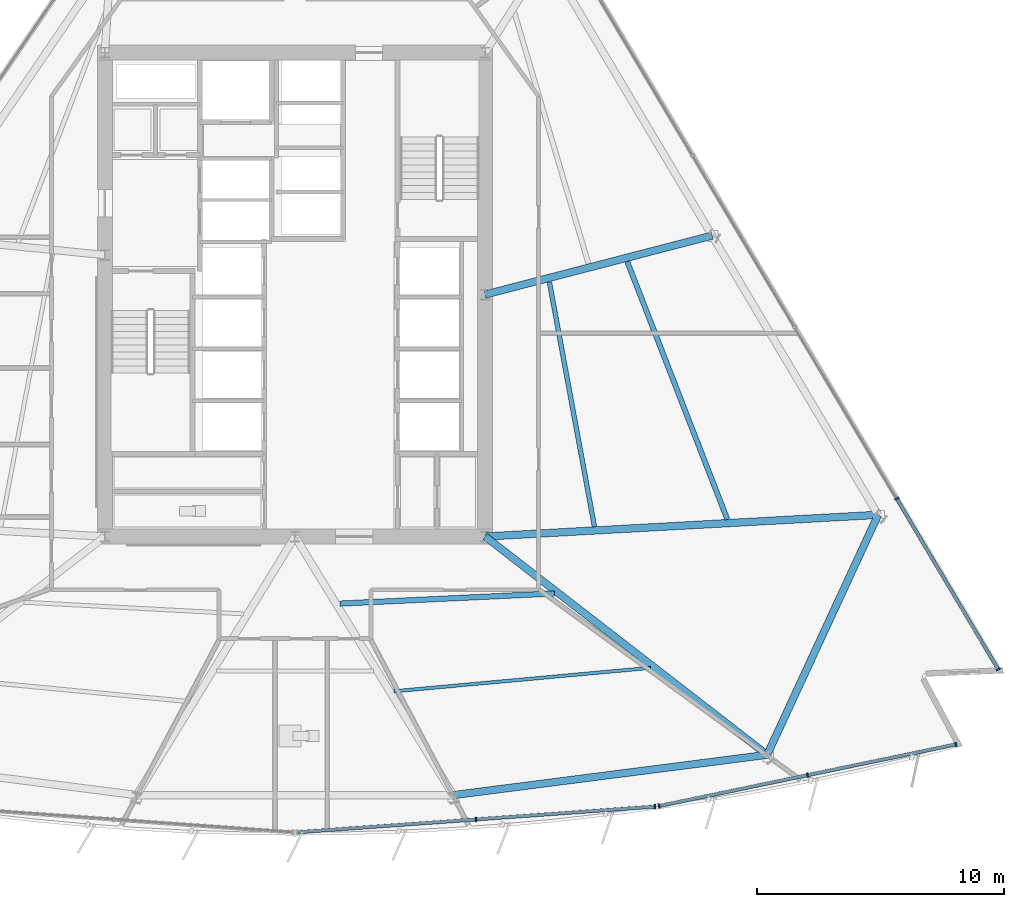
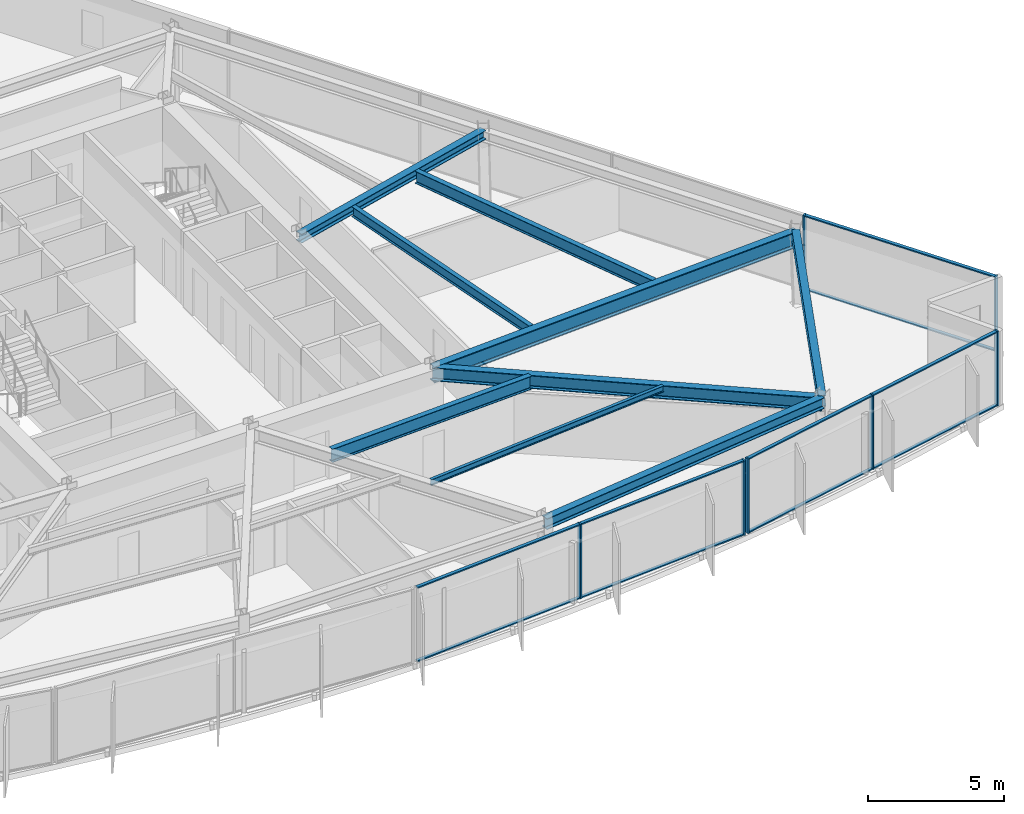
# One storey, part 4 of 15: 17 members, 9 beams, 3 elements without a shape of their own.
"""IFC4 building model written with IfcOpenShell, lengths in metres."""

from ifc_helpers import new_model, si_unit, direction, frame, origin, origin_2d, place, context, subcontext, project, spatial, rectangle, i_section, extrude, material, material_profile, profile_set, type_object, element, aggregate, save


model = new_model("IFC4")

# Units and contexts
model_context = context("Model", 3, precision=1e-05, world=origin(), true_north=direction((0.0, 1.0)))
body_context = subcontext(model_context, "Body", "Model", "MODEL_VIEW")
ifc_project = project(units=[si_unit("LENGTHUNIT", "METRE"), si_unit("AREAUNIT", "SQUARE_METRE"), si_unit("VOLUMEUNIT", "CUBIC_METRE"), si_unit("PLANEANGLEUNIT", "RADIAN"), si_unit("MASSUNIT", "GRAM", prefix="KILO")], contexts=[model_context])

# Site, building, storey
site_placement = place(None, origin())
site = spatial("IfcSite", under=ifc_project, at=site_placement, CompositionType="ELEMENT")
building_placement = place(site_placement, origin())
building = spatial("IfcBuilding", under=site, at=building_placement, Name="Savorim Split Tower", CompositionType="ELEMENT")
storey_placement = place(building_placement, frame((0.0, 0.0, 86.10009765625)))
storey = spatial("IfcBuildingStorey", under=building, at=storey_placement, Name="L22", CompositionType="ELEMENT", Elevation=86.10009765625)

# Beams
ifc_material_1 = material(Name="Steel S355", Category="steel")
ifc_material_profile_1 = material_profile(ifc_material_1, i_section(OverallWidth=0.135009765625, OverallDepth=0.27001953125, WebThickness=0.006591796875, FlangeThickness=0.01025390625, FilletRadius=0.014892578125, at=origin_2d()), Name="IPE 270")
ifc_profile_set_1 = profile_set([ifc_material_profile_1], Name="Steel S355")
beam_type_1 = type_object("IfcBeamType", Name="BM-JST-IPE270", PredefinedType="JOIST", material=ifc_profile_set_1)
beam_1_placement = place(storey_placement, frame((4.00439453125, -15.66845703125, 3.21484375), z_axis=(0.995845690782, 0.091056906115, 0.0), x_axis=(-0.091056906115, 0.995845690782, 0.0)))
element("IfcBeam", 1, at=beam_1_placement, inside=storey, type_object=beam_type_1, Name="L22 Secondary Floor Joist JS-04", PredefinedType="JOIST", context=body_context, shape_type="SweptSolid", body=[
    extrude(i_section(OverallWidth=0.135009765625, OverallDepth=0.27001953125, WebThickness=0.006591796875, FlangeThickness=0.01025390625, FilletRadius=0.014892578125, at=origin_2d()), origin(), (0.0, 0.0, 1.0), 10.4326171875),
])
ifc_material_profile_2 = material_profile(ifc_material_1, i_section(OverallWidth=0.18994140625, OverallDepth=0.449951171875, WebThickness=0.009521484375, FlangeThickness=0.0146484375, FilletRadius=0.02099609375, at=origin_2d()), Name="IPE 450")
ifc_profile_set_2 = profile_set([ifc_material_profile_2], Name="Steel S355")
beam_type_2 = type_object("IfcBeamType", Name="BM-JST-IPE450", PredefinedType="JOIST", material=ifc_profile_set_2)
beam_2_placement = place(storey_placement, frame((12.127197265625, -8.99658203125, 3.125), z_axis=(-0.181128504343, 0.983459437351, 0.0), x_axis=(-0.983459437351, -0.181128504343, 0.0)))
element("IfcBeam", 2, at=beam_2_placement, inside=storey, type_object=beam_type_2, Name="L22 Secondary Floor Joist JS-08", PredefinedType="JOIST", context=body_context, shape_type="SweptSolid", body=[
    extrude(i_section(OverallWidth=0.18994140625, OverallDepth=0.449951171875, WebThickness=0.009521484375, FlangeThickness=0.0146484375, FilletRadius=0.02099609375, at=origin_2d()), origin(), (0.0, 0.0, 1.0), 10.07421875),
])
ifc_material_profile_3 = material_profile(ifc_material_1, i_section(OverallWidth=0.2099609375, OverallDepth=0.550048828125, WebThickness=0.010986328125, FlangeThickness=0.01708984375, FilletRadius=0.02392578125, at=origin_2d()), Name="IPE 550")
ifc_profile_set_3 = profile_set([ifc_material_profile_3], Name="Steel S355")
beam_type_3 = type_object("IfcBeamType", Name="BM-JST-IPE550", PredefinedType="JOIST", material=ifc_profile_set_3)
beam_3_placement = place(storey_placement, frame((17.509521484375, -8.706298828125, 3.074951171875), z_axis=(-0.362017942912, 0.932171126462, 0.0), x_axis=(-0.932171126462, -0.362017942912, 0.0)))
element("IfcBeam", 3, at=beam_3_placement, inside=storey, type_object=beam_type_3, Name="L22 Secondary Floor Joist JS-06", PredefinedType="JOIST", context=body_context, shape_type="SweptSolid", body=[
    extrude(i_section(OverallWidth=0.2099609375, OverallDepth=0.550048828125, WebThickness=0.010986328125, FlangeThickness=0.01708984375, FilletRadius=0.02392578125, at=origin_2d()), origin(), (0.0, 0.0, 1.0), 11.1962890625),
])
ifc_material_profile_4 = material_profile(ifc_material_1, i_section(OverallWidth=0.219970703125, OverallDepth=0.60009765625, WebThickness=0.011962890625, FlangeThickness=0.01904296875, FilletRadius=0.02392578125, at=origin_2d()), Name="IPE 600")
ifc_profile_set_4 = profile_set([ifc_material_profile_4], Name="Steel S355")
beam_type_4 = type_object("IfcBeamType", Name="BM-JST-IPE600", PredefinedType="JOIST", material=ifc_profile_set_4)
beam_4_placement = place(storey_placement, frame((1.825927734375, -12.115234375, 3.0498046875), z_axis=(0.998890392188, 0.047095481675, 0.0), x_axis=(-0.047095481675, 0.998890392188, 0.0)))
element("IfcBeam", 4, at=beam_4_placement, inside=storey, type_object=beam_type_4, Name="L22 Secondary Floor Joist JS-05", PredefinedType="JOIST", context=body_context, shape_type="SweptSolid", body=[
    extrude(i_section(OverallWidth=0.219970703125, OverallDepth=0.60009765625, WebThickness=0.011962890625, FlangeThickness=0.01904296875, FilletRadius=0.02392578125, at=origin_2d()), origin(), (0.0, 0.0, 1.0), 8.693603515625),
])
ifc_material_profile_5 = material_profile(ifc_material_1, i_section(OverallWidth=0.300048828125, OverallDepth=0.39990234375, WebThickness=0.013427734375, FlangeThickness=0.02392578125, FilletRadius=0.027099609375, at=origin_2d()), Name="HEB 400")
ifc_profile_set_5 = profile_set([ifc_material_profile_5], Name="Steel S355")
beam_type_5 = type_object("IfcBeamType", Name="BM-PRI-HEB400", PredefinedType="BEAM", material=ifc_profile_set_5)
beam_5_placement = place(storey_placement, frame((16.89111328125, 2.78662109375, 3.14990234375), z_axis=(-0.967898975121, -0.251339559083, 0.0), x_axis=(0.251339559083, -0.967898975121, 0.0)))
element("IfcBeam", 5, at=beam_5_placement, inside=storey, type_object=beam_type_5, Name="L22 Primary Floor Girder RG-06", PredefinedType="BEAM", context=body_context, shape_type="SweptSolid", body=[
    extrude(i_section(OverallWidth=0.300048828125, OverallDepth=0.39990234375, WebThickness=0.013427734375, FlangeThickness=0.02392578125, FilletRadius=0.027099609375, at=origin_2d()), origin(), (0.0, 0.0, 1.0), 9.49609375),
])
ifc_material_profile_6 = material_profile(ifc_material_1, i_section(OverallWidth=0.300048828125, OverallDepth=0.60009765625, WebThickness=0.015380859375, FlangeThickness=0.030029296875, FilletRadius=0.027099609375, at=origin_2d()), Name="HEB 600")
ifc_profile_set_6 = profile_set([ifc_material_profile_6], Name="Steel S355")
beam_type_6 = type_object("IfcBeamType", Name="BM-PRI-HEB600", PredefinedType="BEAM", material=ifc_profile_set_6)
beam_6_placement = place(storey_placement, frame((19.121337890625, -18.239501953125, 3.0498046875), z_axis=(-0.790816347688, 0.612053514188, 0.0), x_axis=(-0.612053514188, -0.790816347688, 0.0)))
element("IfcBeam", 6, at=beam_6_placement, inside=storey, type_object=beam_type_6, Name="L22 Primary Floor Girder RG-04", PredefinedType="BEAM", context=body_context, shape_type="SweptSolid", body=[
    extrude(i_section(OverallWidth=0.300048828125, OverallDepth=0.60009765625, WebThickness=0.015380859375, FlangeThickness=0.030029296875, FilletRadius=0.027099609375, at=origin_2d()), origin(), (0.0, 0.0, 1.0), 14.442626953125),
])
ifc_material_2 = material(Name="Steel S460", Category="steel")
ifc_material_profile_7 = material_profile(ifc_material_2, i_section(OverallWidth=0.303955078125, OverallDepth=0.716064453125, WebThickness=0.02099609375, FlangeThickness=0.0400390625, FilletRadius=0.027099609375, at=origin_2d()), Name="HE 700 M")
ifc_profile_set_7 = profile_set([ifc_material_profile_7], Name="Steel S460")
beam_type_7 = type_object("IfcBeamType", Name="BM-PRI-HEM700", PredefinedType="BEAM", material=ifc_profile_set_7)
beam_7_placement = place(storey_placement, frame((23.615234375, -8.521728515625, 2.991943359375), z_axis=(-0.99848116034, -0.055094214265, 0.0), x_axis=(0.055094214265, -0.99848116034, 0.0)))
element("IfcBeam", 7, at=beam_7_placement, inside=storey, type_object=beam_type_7, Name="L22 Primary Floor Girder RG-05", PredefinedType="BEAM", context=body_context, shape_type="SweptSolid", body=[
    extrude(i_section(OverallWidth=0.303955078125, OverallDepth=0.716064453125, WebThickness=0.02099609375, FlangeThickness=0.0400390625, FilletRadius=0.027099609375, at=origin_2d()), origin(), (0.0, 0.0, 1.0), 15.939453125),
])
ifc_material_profile_8 = material_profile(ifc_material_1, i_section(OverallWidth=0.300048828125, OverallDepth=0.489990234375, WebThickness=0.011962890625, FlangeThickness=0.02294921875, FilletRadius=0.027099609375, at=origin_2d()), Name="HEA 500")
ifc_profile_set_8 = profile_set([ifc_material_profile_8], Name="Steel S355")
beam_type_8 = type_object("IfcBeamType", Name="BM-SPN-HEA500", PredefinedType="SPANDREL", material=ifc_profile_set_8)
beam_8_placement = place(storey_placement, frame((6.40869140625, -19.871826171875, 3.10498046875), z_axis=(0.99185706589, 0.127356039687, 0.0), x_axis=(-0.127356039687, 0.99185706589, 0.0)))
element("IfcBeam", 8, at=beam_8_placement, inside=storey, type_object=beam_type_8, Name="L22 Perimeter Spandrel Beam 3", PredefinedType="SPANDREL", context=body_context, shape_type="SweptSolid", body=[
    extrude(i_section(OverallWidth=0.300048828125, OverallDepth=0.489990234375, WebThickness=0.011962890625, FlangeThickness=0.02294921875, FilletRadius=0.027099609375, at=origin_2d()), origin(), (0.0, 0.0, 1.0), 12.81689453125),
])
beam_9_placement = place(storey_placement, frame((19.121337890625, -18.239501953125, 3.10498046875), z_axis=(0.419733361711, 0.907647456377, 0.0), x_axis=(-0.907647456377, 0.419733361711, 0.0)))
element("IfcBeam", 9, at=beam_9_placement, inside=storey, type_object=beam_type_8, Name="L22 Perimeter Spandrel Beam 4", PredefinedType="SPANDREL", context=body_context, shape_type="SweptSolid", body=[
    extrude(i_section(OverallWidth=0.300048828125, OverallDepth=0.489990234375, WebThickness=0.011962890625, FlangeThickness=0.02294921875, FilletRadius=0.027099609375, at=origin_2d()), origin(), (0.0, 0.0, 1.0), 10.70654296875),
])

# Curtain wall, members
ifc_material_3 = material(Name="Dark Ceramic-Fritted Insulated Glass", Category="glass")
curtain_wall_type = type_object("IfcCurtainWallType", Name="CW-TWR-FRIT-A", PredefinedType="NOTDEFINED", material=ifc_material_3)
curtain_wall_1_placement = place(storey_placement, origin())
curtain_wall_1 = element("IfcCurtainWall", 10, at=curtain_wall_1_placement, inside=storey, type_object=curtain_wall_type, Name="L22 Curtain Wall CW-L22-SF3", PredefinedType="NOTDEFINED")
ifc_material_4 = material(Name="Charcoal Anodised Aluminium", Category="aluminium")
ifc_material_profile_9 = material_profile(ifc_material_4, rectangle(XDim=0.179931640625, YDim=0.06494140625, at=origin_2d()), Name="ALU-M 180x65")
ifc_profile_set_9 = profile_set([ifc_material_profile_9], Name="Charcoal Anodised Aluminium")
member_type_1 = type_object("IfcMemberType", Name="CWM-180x65", PredefinedType="MULLION", material=ifc_profile_set_9)
member_1_placement = place(storey_placement, frame((7.33203125, -20.8544921875, 0.0), z_axis=(0.0, 0.0, 1.0), x_axis=(-0.071560540796, 0.997436258114, 0.0)))
member_1 = element("IfcMember", 11, at=member_1_placement, type_object=member_type_1, Name="CW-02 mullion 2", PredefinedType="MULLION", context=body_context, shape_type="SweptSolid", body=[
    extrude(rectangle(XDim=0.179931640625, YDim=0.06494140625, at=origin_2d()), origin(), (0.0, 0.0, 1.0), 3.349853515625),
])
member_2_placement = place(storey_placement, frame((14.580322265625, -20.33447265625, 0.0), z_axis=(0.0, 0.0, 1.0), x_axis=(-0.071560540796, 0.997436258114, 0.0)))
member_2 = element("IfcMember", 12, at=member_2_placement, type_object=member_type_1, Name="CW-02 mullion 3", PredefinedType="MULLION", context=body_context, shape_type="SweptSolid", body=[
    extrude(rectangle(XDim=0.179931640625, YDim=0.06494140625, at=origin_2d()), origin(), (0.0, 0.0, 1.0), 3.349853515625),
])

curtain_wall_2_placement = place(storey_placement, origin())
curtain_wall_2 = element("IfcCurtainWall", 13, at=curtain_wall_2_placement, inside=storey, type_object=curtain_wall_type, Name="L22 Curtain Wall CW-L22-SF4", PredefinedType="NOTDEFINED")
member_3_placement = place(storey_placement, frame((14.747314453125, -20.311279296875, 0.0), z_axis=(0.0, 0.0, 1.0), x_axis=(-0.203210153081, 0.979135145772, 0.0)))
member_3 = element("IfcMember", 14, at=member_3_placement, type_object=member_type_1, Name="CW-02 mullion 1", PredefinedType="MULLION", context=body_context, shape_type="SweptSolid", body=[
    extrude(rectangle(XDim=0.179931640625, YDim=0.06494140625, at=origin_2d()), origin(), (0.0, 0.0, 1.0), 3.349853515625),
])
member_4_placement = place(storey_placement, frame((20.75634765625, -19.064208984375, 0.0), z_axis=(0.0, 0.0, 1.0), x_axis=(-0.203210153081, 0.979135145772, 0.0)))
member_4 = element("IfcMember", 15, at=member_4_placement, type_object=member_type_1, Name="CW-02 mullion 2", PredefinedType="MULLION", context=body_context, shape_type="SweptSolid", body=[
    extrude(rectangle(XDim=0.179931640625, YDim=0.06494140625, at=origin_2d()), origin(), (0.0, 0.0, 1.0), 3.349853515625),
])
member_5_placement = place(storey_placement, frame((26.76513671875, -17.81689453125, 0.0), z_axis=(0.0, 0.0, 1.0), x_axis=(-0.203210153081, 0.979135145772, 0.0)))
member_5 = element("IfcMember", 16, at=member_5_placement, type_object=member_type_1, Name="CW-02 mullion 3", PredefinedType="MULLION", context=body_context, shape_type="SweptSolid", body=[
    extrude(rectangle(XDim=0.179931640625, YDim=0.06494140625, at=origin_2d()), origin(), (0.0, 0.0, 1.0), 3.349853515625),
])

curtain_wall_3_placement = place(storey_placement, origin())
curtain_wall_3 = element("IfcCurtainWall", 17, at=curtain_wall_3_placement, inside=storey, type_object=curtain_wall_type, Name="L22 Curtain Wall CW-L22-EAST", PredefinedType="NOTDEFINED")
member_6_placement = place(storey_placement, frame((28.480224609375, -14.78173828125, 0.0), z_axis=(0.0, 0.0, 1.0), x_axis=(-0.859524537852, -0.511094481315, 0.0)))
member_6 = element("IfcMember", 18, at=member_6_placement, type_object=member_type_1, Name="CW-02 mullion 1", PredefinedType="MULLION", context=body_context, shape_type="SweptSolid", body=[
    extrude(rectangle(XDim=0.179931640625, YDim=0.06494140625, at=origin_2d()), origin(), (0.0, 0.0, 1.0), 3.349853515625),
])
member_7_placement = place(storey_placement, frame((24.36669921875, -7.864013671875, 0.0), z_axis=(0.0, 0.0, 1.0), x_axis=(-0.859524537852, -0.511094481315, 0.0)))
member_7 = element("IfcMember", 19, at=member_7_placement, type_object=member_type_1, Name="CW-02 mullion 2", PredefinedType="MULLION", context=body_context, shape_type="SweptSolid", body=[
    extrude(rectangle(XDim=0.179931640625, YDim=0.06494140625, at=origin_2d()), origin(), (0.0, 0.0, 1.0), 3.349853515625),
])

# Member
ifc_material_profile_10 = material_profile(ifc_material_4, rectangle(XDim=0.139892578125, YDim=0.054931640625, at=origin_2d()), Name="ALU-T 140x55")
ifc_profile_set_10 = profile_set([ifc_material_profile_10], Name="Charcoal Anodised Aluminium")
member_type_2 = type_object("IfcMemberType", Name="CWT-140x55", PredefinedType="USERDEFINED", material=ifc_profile_set_10)
member_8_placement = place(storey_placement, frame((0.1162109375, -21.3720703125, 0.02734375), z_axis=(0.997436107345, 0.071562642239, 0.0), x_axis=(-0.071562642239, 0.997436107345, 0.0)))
member_8 = element("IfcMember", 20, at=member_8_placement, type_object=member_type_2, Name="CW-02 transom 1.1", ObjectType="TRANSOM", PredefinedType="USERDEFINED", context=body_context, shape_type="SweptSolid", body=[
    extrude(rectangle(XDim=0.139892578125, YDim=0.054931640625, at=origin_2d()), origin(), (0.0, 0.0, 1.0), 7.201904296875),
])

member_9_placement = place(storey_placement, frame((0.1162109375, -21.3720703125, 3.322509765625), z_axis=(0.997436107345, 0.071562642239, 0.0), x_axis=(-0.071562642239, 0.997436107345, 0.0)))
member_9 = element("IfcMember", 21, at=member_9_placement, type_object=member_type_2, Name="CW-02 transom 1.2", ObjectType="TRANSOM", PredefinedType="USERDEFINED", context=body_context, shape_type="SweptSolid", body=[
    extrude(rectangle(XDim=0.139892578125, YDim=0.054931640625, at=origin_2d()), origin(), (0.0, 0.0, 1.0), 7.201904296875),
])

member_10_placement = place(storey_placement, frame((7.364501953125, -20.85205078125, 0.02734375), z_axis=(0.997436107345, 0.071562642239, 0.0), x_axis=(-0.071562642239, 0.997436107345, 0.0)))
member_10 = element("IfcMember", 22, at=member_10_placement, type_object=member_type_2, Name="CW-02 transom 2.1", ObjectType="TRANSOM", PredefinedType="USERDEFINED", context=body_context, shape_type="SweptSolid", body=[
    extrude(rectangle(XDim=0.139892578125, YDim=0.054931640625, at=origin_2d()), origin(), (0.0, 0.0, 1.0), 7.201904296875),
])

member_11_placement = place(storey_placement, frame((7.364501953125, -20.85205078125, 3.322509765625), z_axis=(0.997436107345, 0.071562642239, 0.0), x_axis=(-0.071562642239, 0.997436107345, 0.0)))
member_11 = element("IfcMember", 23, at=member_11_placement, type_object=member_type_2, Name="CW-02 transom 2.2", ObjectType="TRANSOM", PredefinedType="USERDEFINED", context=body_context, shape_type="SweptSolid", body=[
    extrude(rectangle(XDim=0.139892578125, YDim=0.054931640625, at=origin_2d()), origin(), (0.0, 0.0, 1.0), 7.201904296875),
])

aggregate(curtain_wall_1, [member_1, member_2, member_8, member_9, member_10, member_11])

member_12_placement = place(storey_placement, frame((14.779052734375, -20.3046875, 0.02734375), z_axis=(0.97913534694, 0.203209183781, 0.0), x_axis=(-0.203209183781, 0.97913534694, 0.0)))
member_12 = element("IfcMember", 24, at=member_12_placement, type_object=member_type_2, Name="CW-02 transom 1.1", ObjectType="TRANSOM", PredefinedType="USERDEFINED", context=body_context, shape_type="SweptSolid", body=[
    extrude(rectangle(XDim=0.139892578125, YDim=0.054931640625, at=origin_2d()), origin(), (0.0, 0.0, 1.0), 6.072021484375),
])

member_13_placement = place(storey_placement, frame((14.779052734375, -20.3046875, 3.322509765625), z_axis=(0.97913534694, 0.203209183781, 0.0), x_axis=(-0.203209183781, 0.97913534694, 0.0)))
member_13 = element("IfcMember", 25, at=member_13_placement, type_object=member_type_2, Name="CW-02 transom 1.2", ObjectType="TRANSOM", PredefinedType="USERDEFINED", context=body_context, shape_type="SweptSolid", body=[
    extrude(rectangle(XDim=0.139892578125, YDim=0.054931640625, at=origin_2d()), origin(), (0.0, 0.0, 1.0), 6.072021484375),
])

member_14_placement = place(storey_placement, frame((20.7880859375, -19.0576171875, 0.02734375), z_axis=(0.97913534694, 0.203209183781, 0.0), x_axis=(-0.203209183781, 0.97913534694, 0.0)))
member_14 = element("IfcMember", 26, at=member_14_placement, type_object=member_type_2, Name="CW-02 transom 2.1", ObjectType="TRANSOM", PredefinedType="USERDEFINED", context=body_context, shape_type="SweptSolid", body=[
    extrude(rectangle(XDim=0.139892578125, YDim=0.054931640625, at=origin_2d()), origin(), (0.0, 0.0, 1.0), 6.072021484375),
])

member_15_placement = place(storey_placement, frame((20.7880859375, -19.0576171875, 3.322509765625), z_axis=(0.97913534694, 0.203209183781, 0.0), x_axis=(-0.203209183781, 0.97913534694, 0.0)))
member_15 = element("IfcMember", 27, at=member_15_placement, type_object=member_type_2, Name="CW-02 transom 2.2", ObjectType="TRANSOM", PredefinedType="USERDEFINED", context=body_context, shape_type="SweptSolid", body=[
    extrude(rectangle(XDim=0.139892578125, YDim=0.054931640625, at=origin_2d()), origin(), (0.0, 0.0, 1.0), 6.072021484375),
])

aggregate(curtain_wall_2, [member_3, member_4, member_5, member_12, member_13, member_14, member_15])

member_16_placement = place(storey_placement, frame((28.463623046875, -14.753662109375, 0.02734375), z_axis=(-0.511105313723, 0.859518096542, 0.0), x_axis=(-0.859518096542, -0.511105313723, 0.0)))
member_16 = element("IfcMember", 28, at=member_16_placement, type_object=member_type_2, Name="CW-02 transom 1.1", ObjectType="TRANSOM", PredefinedType="USERDEFINED", context=body_context, shape_type="SweptSolid", body=[
    extrude(rectangle(XDim=0.139892578125, YDim=0.054931640625, at=origin_2d()), origin(), (0.0, 0.0, 1.0), 7.9833984375),
])

member_17_placement = place(storey_placement, frame((28.463623046875, -14.753662109375, 3.322509765625), z_axis=(-0.511105313723, 0.859518096542, 0.0), x_axis=(-0.859518096542, -0.511105313723, 0.0)))
member_17 = element("IfcMember", 29, at=member_17_placement, type_object=member_type_2, Name="CW-02 transom 1.2", ObjectType="TRANSOM", PredefinedType="USERDEFINED", context=body_context, shape_type="SweptSolid", body=[
    extrude(rectangle(XDim=0.139892578125, YDim=0.054931640625, at=origin_2d()), origin(), (0.0, 0.0, 1.0), 7.9833984375),
])

aggregate(curtain_wall_3, [member_6, member_7, member_16, member_17])

save(model, "model.ifc")
